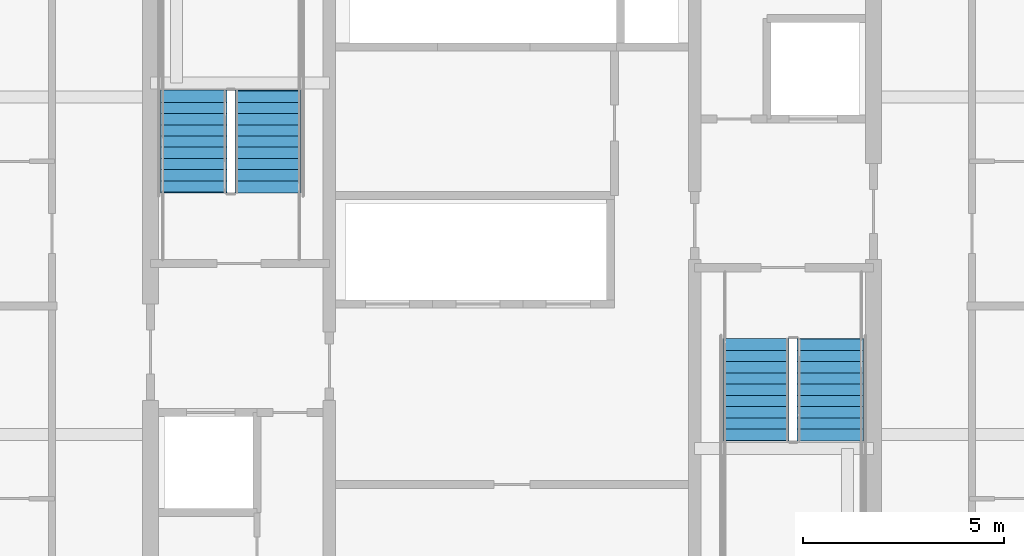
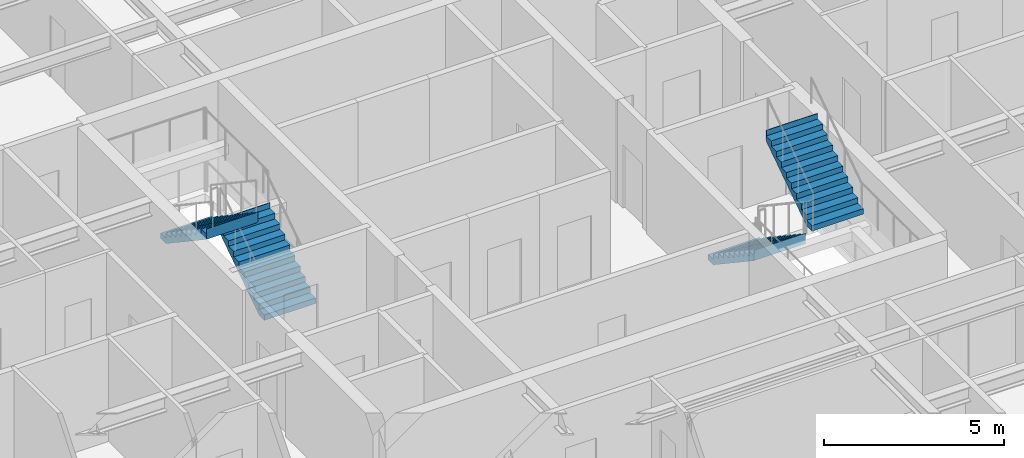
# One storey, part 32 of 37: 4 stair flights, 2 elements without a shape of their own.
"""IFC4 building model written with IfcOpenShell, lengths in metres."""

from ifc_helpers import new_model, si_unit, direction, frame, origin, place, context, subcontext, project, spatial, polygons, material, type_object, element, aggregate, save


model = new_model("IFC4")

# Units and contexts
model_context = context("Model", 3, precision=1e-05, world=origin(), true_north=direction((0.0, 1.0)))
body_context = subcontext(model_context, "Body", "Model", "MODEL_VIEW")
ifc_project = project(units=[si_unit("LENGTHUNIT", "METRE"), si_unit("AREAUNIT", "SQUARE_METRE"), si_unit("VOLUMEUNIT", "CUBIC_METRE"), si_unit("PLANEANGLEUNIT", "RADIAN"), si_unit("MASSUNIT", "GRAM", prefix="KILO")], contexts=[model_context])

# Site, building, storey
site_placement = place(None, origin())
site = spatial("IfcSite", under=ifc_project, at=site_placement, CompositionType="ELEMENT")
building_placement = place(site_placement, origin())
building = spatial("IfcBuilding", under=site, at=building_placement, Name="Serunith Strait Residences", CompositionType="ELEMENT")
storey_placement = place(building_placement, frame((0.0, 0.0, 127.64990234375)))
storey = spatial("IfcBuildingStorey", under=building, at=storey_placement, Name="L31", CompositionType="ELEMENT", Elevation=127.64990234375)

# Stair, stair flights
ifc_material = material(Name="Concrete C50/60", Category="concrete")
stair_type_1 = type_object("IfcStairType", Name="STR-CORE-1", PredefinedType="HALF_TURN_STAIR", material=ifc_material)
stair_1_placement = place(storey_placement, origin())
stair_1 = element("IfcStair", 1, at=stair_1_placement, inside=storey, type_object=stair_type_1, Name="L31 Protected Escape Stair ST-1", PredefinedType="HALF_TURN_STAIR")
stair_flight_type_1 = type_object("IfcStairFlightType", Name="FLT-CORE-1", PredefinedType="STRAIGHT", material=ifc_material)
stair_flight_1_placement = place(storey_placement, frame((26.324951171875, 27.030029296875, 0.0), z_axis=(0.0, 0.0, 1.0), x_axis=(0.0, 1.0, 0.0)))
stair_flight_1 = element("IfcStairFlight", 2, at=stair_flight_1_placement, type_object=stair_flight_type_1, Name="ST-1 flight 1", NumberOfRisers=10, NumberOfTreads=9, PredefinedType="STRAIGHT", RiserHeight=0.1875, TreadLength=0.28, context=body_context, shape_type="Tessellation", body=[
    polygons([(-0.02001953125, -0.824951171875, 0.0), (-0.02001953125, -0.824951171875, 0.1875), (0.280029296875, -0.824951171875, 0.1875), (0.280029296875, -0.824951171875, 0.375), (0.56005859375, -0.824951171875, 0.375), (0.56005859375, -0.824951171875, 0.5625), (0.840087890625, -0.824951171875, 0.5625), (0.840087890625, -0.824951171875, 0.75), (1.1201171875, -0.824951171875, 0.75), (1.1201171875, -0.824951171875, 0.9375), (1.39990234375, -0.824951171875, 0.9375), (1.39990234375, -0.824951171875, 1.125), (1.679931640625, -0.824951171875, 1.125), (1.679931640625, -0.824951171875, 1.3125), (1.9599609375, -0.824951171875, 1.3125), (1.9599609375, -0.824951171875, 1.5), (2.239990234375, -0.824951171875, 1.5), (2.239990234375, -0.824951171875, 1.6875), (2.52001953125, -0.824951171875, 1.6875), (2.52001953125, -0.824951171875, 1.875), (2.5400390625, -0.824951171875, 1.875), (2.5400390625, -0.824951171875, 1.81494140625), (2.52001953125, -0.824951171875, 1.507080078125), (0.26953125, -0.824951171875, 0.0), (-0.02001953125, -0.41259765625, 0.0), (-0.02001953125, -0.41259765625, 0.1875), (0.280029296875, -0.41259765625, 0.1875), (0.280029296875, -0.41259765625, 0.375), (0.56005859375, -0.41259765625, 0.375), (0.56005859375, -0.41259765625, 0.5625), (0.840087890625, -0.41259765625, 0.5625), (0.840087890625, -0.41259765625, 0.75), (1.1201171875, -0.41259765625, 0.75), (1.1201171875, -0.41259765625, 0.9375), (1.39990234375, -0.41259765625, 0.9375), (1.39990234375, -0.41259765625, 1.125), (1.679931640625, -0.41259765625, 1.125), (1.679931640625, -0.41259765625, 1.3125), (1.9599609375, -0.41259765625, 1.3125), (1.9599609375, -0.41259765625, 1.5), (2.239990234375, -0.41259765625, 1.5), (2.239990234375, -0.41259765625, 1.6875), (2.52001953125, -0.41259765625, 1.6875), (2.52001953125, -0.41259765625, 1.875), (2.5400390625, -0.41259765625, 1.875), (2.5400390625, -0.41259765625, 1.81494140625), (2.52001953125, -0.41259765625, 1.507080078125), (0.26953125, -0.41259765625, 0.0), (-0.02001953125, 0.0, 0.0), (-0.02001953125, 0.0, 0.1875), (0.280029296875, 0.0, 0.1875), (0.280029296875, 0.0, 0.375), (0.56005859375, 0.0, 0.375), (0.56005859375, 0.0, 0.5625), (0.840087890625, 0.0, 0.5625), (0.840087890625, 0.0, 0.75), (1.1201171875, 0.0, 0.75), (1.1201171875, 0.0, 0.9375), (1.39990234375, 0.0, 0.9375), (1.39990234375, 0.0, 1.125), (1.679931640625, 0.0, 1.125), (1.679931640625, 0.0, 1.3125), (1.9599609375, 0.0, 1.3125), (1.9599609375, 0.0, 1.5), (2.239990234375, 0.0, 1.5), (2.239990234375, 0.0, 1.6875), (2.52001953125, 0.0, 1.6875), (2.52001953125, 0.0, 1.875), (2.5400390625, 0.0, 1.875), (2.5400390625, 0.0, 1.81494140625), (2.52001953125, 0.0, 1.507080078125), (0.26953125, 0.0, 0.0), (-0.02001953125, 0.41259765625, 0.0), (-0.02001953125, 0.41259765625, 0.1875), (0.280029296875, 0.41259765625, 0.1875), (0.280029296875, 0.41259765625, 0.375), (0.56005859375, 0.41259765625, 0.375), (0.56005859375, 0.41259765625, 0.5625), (0.840087890625, 0.41259765625, 0.5625), (0.840087890625, 0.41259765625, 0.75), (1.1201171875, 0.41259765625, 0.75), (1.1201171875, 0.41259765625, 0.9375), (1.39990234375, 0.41259765625, 0.9375), (1.39990234375, 0.41259765625, 1.125), (1.679931640625, 0.41259765625, 1.125), (1.679931640625, 0.41259765625, 1.3125), (1.9599609375, 0.41259765625, 1.3125), (1.9599609375, 0.41259765625, 1.5), (2.239990234375, 0.41259765625, 1.5), (2.239990234375, 0.41259765625, 1.6875), (2.52001953125, 0.41259765625, 1.6875), (2.52001953125, 0.41259765625, 1.875), (2.5400390625, 0.41259765625, 1.875), (2.5400390625, 0.41259765625, 1.81494140625), (2.52001953125, 0.41259765625, 1.507080078125), (0.26953125, 0.41259765625, 0.0), (-0.02001953125, 0.824951171875, 0.0), (-0.02001953125, 0.824951171875, 0.1875), (0.280029296875, 0.824951171875, 0.1875), (0.280029296875, 0.824951171875, 0.375), (0.56005859375, 0.824951171875, 0.375), (0.56005859375, 0.824951171875, 0.5625), (0.840087890625, 0.824951171875, 0.5625), (0.840087890625, 0.824951171875, 0.75), (1.1201171875, 0.824951171875, 0.75), (1.1201171875, 0.824951171875, 0.9375), (1.39990234375, 0.824951171875, 0.9375), (1.39990234375, 0.824951171875, 1.125), (1.679931640625, 0.824951171875, 1.125), (1.679931640625, 0.824951171875, 1.3125), (1.9599609375, 0.824951171875, 1.3125), (1.9599609375, 0.824951171875, 1.5), (2.239990234375, 0.824951171875, 1.5), (2.239990234375, 0.824951171875, 1.6875), (2.52001953125, 0.824951171875, 1.6875), (2.52001953125, 0.824951171875, 1.875), (2.5400390625, 0.824951171875, 1.875), (2.5400390625, 0.824951171875, 1.81494140625), (2.52001953125, 0.824951171875, 1.507080078125), (0.26953125, 0.824951171875, 0.0)], [[[1, 2, 26, 25]], [[2, 3, 27, 26]], [[3, 4, 28, 27]], [[4, 5, 29, 28]], [[5, 6, 30, 29]], [[6, 7, 31, 30]], [[7, 8, 32, 31]], [[8, 9, 33, 32]], [[9, 10, 34, 33]], [[10, 11, 35, 34]], [[11, 12, 36, 35]], [[12, 13, 37, 36]], [[13, 14, 38, 37]], [[14, 15, 39, 38]], [[15, 16, 40, 39]], [[16, 17, 41, 40]], [[17, 18, 42, 41]], [[18, 19, 43, 42]], [[19, 20, 44, 43]], [[20, 21, 45, 44]], [[21, 22, 46, 45]], [[22, 23, 47, 46]], [[23, 24, 48, 47]], [[24, 1, 25, 48]], [[25, 26, 50, 49]], [[26, 27, 51, 50]], [[27, 28, 52, 51]], [[28, 29, 53, 52]], [[29, 30, 54, 53]], [[30, 31, 55, 54]], [[31, 32, 56, 55]], [[32, 33, 57, 56]], [[33, 34, 58, 57]], [[34, 35, 59, 58]], [[35, 36, 60, 59]], [[36, 37, 61, 60]], [[37, 38, 62, 61]], [[38, 39, 63, 62]], [[39, 40, 64, 63]], [[40, 41, 65, 64]], [[41, 42, 66, 65]], [[42, 43, 67, 66]], [[43, 44, 68, 67]], [[44, 45, 69, 68]], [[45, 46, 70, 69]], [[46, 47, 71, 70]], [[47, 48, 72, 71]], [[48, 25, 49, 72]], [[49, 50, 74, 73]], [[50, 51, 75, 74]], [[51, 52, 76, 75]], [[52, 53, 77, 76]], [[53, 54, 78, 77]], [[54, 55, 79, 78]], [[55, 56, 80, 79]], [[56, 57, 81, 80]], [[57, 58, 82, 81]], [[58, 59, 83, 82]], [[59, 60, 84, 83]], [[60, 61, 85, 84]], [[61, 62, 86, 85]], [[62, 63, 87, 86]], [[63, 64, 88, 87]], [[64, 65, 89, 88]], [[65, 66, 90, 89]], [[66, 67, 91, 90]], [[67, 68, 92, 91]], [[68, 69, 93, 92]], [[69, 70, 94, 93]], [[70, 71, 95, 94]], [[71, 72, 96, 95]], [[72, 49, 73, 96]], [[73, 74, 98, 97]], [[74, 75, 99, 98]], [[75, 76, 100, 99]], [[76, 77, 101, 100]], [[77, 78, 102, 101]], [[78, 79, 103, 102]], [[79, 80, 104, 103]], [[80, 81, 105, 104]], [[81, 82, 106, 105]], [[82, 83, 107, 106]], [[83, 84, 108, 107]], [[84, 85, 109, 108]], [[85, 86, 110, 109]], [[86, 87, 111, 110]], [[87, 88, 112, 111]], [[88, 89, 113, 112]], [[89, 90, 114, 113]], [[90, 91, 115, 114]], [[91, 92, 116, 115]], [[92, 93, 117, 116]], [[93, 94, 118, 117]], [[94, 95, 119, 118]], [[95, 96, 120, 119]], [[96, 73, 97, 120]], [[24, 23, 22, 21, 20, 19, 18, 17, 16, 15, 14, 13, 12, 11, 10, 9, 8, 7, 6, 5, 4, 3, 2, 1]], [[97, 98, 99, 100, 101, 102, 103, 104, 105, 106, 107, 108, 109, 110, 111, 112, 113, 114, 115, 116, 117, 118, 119, 120]]], closed=True),
])
stair_flight_2_placement = place(storey_placement, frame((24.47509765625, 29.550048828125, 1.875), z_axis=(0.0, 0.0, 1.0), x_axis=(0.0, -1.0, 0.0)))
stair_flight_2 = element("IfcStairFlight", 3, at=stair_flight_2_placement, type_object=stair_flight_type_1, Name="ST-1 flight 2", NumberOfRisers=10, NumberOfTreads=9, PredefinedType="STRAIGHT", RiserHeight=0.1875, TreadLength=0.28, context=body_context, shape_type="Tessellation", body=[
    polygons([(-0.02001953125, -0.824951171875, 0.0), (-0.02001953125, -0.824951171875, 0.1875), (0.280029296875, -0.824951171875, 0.1875), (0.280029296875, -0.824951171875, 0.375), (0.56005859375, -0.824951171875, 0.375), (0.56005859375, -0.824951171875, 0.5625), (0.840087890625, -0.824951171875, 0.5625), (0.840087890625, -0.824951171875, 0.75), (1.1201171875, -0.824951171875, 0.75), (1.1201171875, -0.824951171875, 0.9375), (1.39990234375, -0.824951171875, 0.9375), (1.39990234375, -0.824951171875, 1.125), (1.679931640625, -0.824951171875, 1.125), (1.679931640625, -0.824951171875, 1.3125), (1.9599609375, -0.824951171875, 1.3125), (1.9599609375, -0.824951171875, 1.5), (2.239990234375, -0.824951171875, 1.5), (2.239990234375, -0.824951171875, 1.6875), (2.52001953125, -0.824951171875, 1.6875), (2.52001953125, -0.824951171875, 1.875), (2.5400390625, -0.824951171875, 1.875), (2.5400390625, -0.824951171875, 1.81494140625), (2.52001953125, -0.824951171875, 1.507080078125), (0.26953125, -0.824951171875, 0.0), (-0.02001953125, -0.41259765625, 0.0), (-0.02001953125, -0.41259765625, 0.1875), (0.280029296875, -0.41259765625, 0.1875), (0.280029296875, -0.41259765625, 0.375), (0.56005859375, -0.41259765625, 0.375), (0.56005859375, -0.41259765625, 0.5625), (0.840087890625, -0.41259765625, 0.5625), (0.840087890625, -0.41259765625, 0.75), (1.1201171875, -0.41259765625, 0.75), (1.1201171875, -0.41259765625, 0.9375), (1.39990234375, -0.41259765625, 0.9375), (1.39990234375, -0.41259765625, 1.125), (1.679931640625, -0.41259765625, 1.125), (1.679931640625, -0.41259765625, 1.3125), (1.9599609375, -0.41259765625, 1.3125), (1.9599609375, -0.41259765625, 1.5), (2.239990234375, -0.41259765625, 1.5), (2.239990234375, -0.41259765625, 1.6875), (2.52001953125, -0.41259765625, 1.6875), (2.52001953125, -0.41259765625, 1.875), (2.5400390625, -0.41259765625, 1.875), (2.5400390625, -0.41259765625, 1.81494140625), (2.52001953125, -0.41259765625, 1.507080078125), (0.26953125, -0.41259765625, 0.0), (-0.02001953125, 0.0, 0.0), (-0.02001953125, 0.0, 0.1875), (0.280029296875, 0.0, 0.1875), (0.280029296875, 0.0, 0.375), (0.56005859375, 0.0, 0.375), (0.56005859375, 0.0, 0.5625), (0.840087890625, 0.0, 0.5625), (0.840087890625, 0.0, 0.75), (1.1201171875, 0.0, 0.75), (1.1201171875, 0.0, 0.9375), (1.39990234375, 0.0, 0.9375), (1.39990234375, 0.0, 1.125), (1.679931640625, 0.0, 1.125), (1.679931640625, 0.0, 1.3125), (1.9599609375, 0.0, 1.3125), (1.9599609375, 0.0, 1.5), (2.239990234375, 0.0, 1.5), (2.239990234375, 0.0, 1.6875), (2.52001953125, 0.0, 1.6875), (2.52001953125, 0.0, 1.875), (2.5400390625, 0.0, 1.875), (2.5400390625, 0.0, 1.81494140625), (2.52001953125, 0.0, 1.507080078125), (0.26953125, 0.0, 0.0), (-0.02001953125, 0.41259765625, 0.0), (-0.02001953125, 0.41259765625, 0.1875), (0.280029296875, 0.41259765625, 0.1875), (0.280029296875, 0.41259765625, 0.375), (0.56005859375, 0.41259765625, 0.375), (0.56005859375, 0.41259765625, 0.5625), (0.840087890625, 0.41259765625, 0.5625), (0.840087890625, 0.41259765625, 0.75), (1.1201171875, 0.41259765625, 0.75), (1.1201171875, 0.41259765625, 0.9375), (1.39990234375, 0.41259765625, 0.9375), (1.39990234375, 0.41259765625, 1.125), (1.679931640625, 0.41259765625, 1.125), (1.679931640625, 0.41259765625, 1.3125), (1.9599609375, 0.41259765625, 1.3125), (1.9599609375, 0.41259765625, 1.5), (2.239990234375, 0.41259765625, 1.5), (2.239990234375, 0.41259765625, 1.6875), (2.52001953125, 0.41259765625, 1.6875), (2.52001953125, 0.41259765625, 1.875), (2.5400390625, 0.41259765625, 1.875), (2.5400390625, 0.41259765625, 1.81494140625), (2.52001953125, 0.41259765625, 1.507080078125), (0.26953125, 0.41259765625, 0.0), (-0.02001953125, 0.824951171875, 0.0), (-0.02001953125, 0.824951171875, 0.1875), (0.280029296875, 0.824951171875, 0.1875), (0.280029296875, 0.824951171875, 0.375), (0.56005859375, 0.824951171875, 0.375), (0.56005859375, 0.824951171875, 0.5625), (0.840087890625, 0.824951171875, 0.5625), (0.840087890625, 0.824951171875, 0.75), (1.1201171875, 0.824951171875, 0.75), (1.1201171875, 0.824951171875, 0.9375), (1.39990234375, 0.824951171875, 0.9375), (1.39990234375, 0.824951171875, 1.125), (1.679931640625, 0.824951171875, 1.125), (1.679931640625, 0.824951171875, 1.3125), (1.9599609375, 0.824951171875, 1.3125), (1.9599609375, 0.824951171875, 1.5), (2.239990234375, 0.824951171875, 1.5), (2.239990234375, 0.824951171875, 1.6875), (2.52001953125, 0.824951171875, 1.6875), (2.52001953125, 0.824951171875, 1.875), (2.5400390625, 0.824951171875, 1.875), (2.5400390625, 0.824951171875, 1.81494140625), (2.52001953125, 0.824951171875, 1.507080078125), (0.26953125, 0.824951171875, 0.0)], [[[1, 2, 26, 25]], [[2, 3, 27, 26]], [[3, 4, 28, 27]], [[4, 5, 29, 28]], [[5, 6, 30, 29]], [[6, 7, 31, 30]], [[7, 8, 32, 31]], [[8, 9, 33, 32]], [[9, 10, 34, 33]], [[10, 11, 35, 34]], [[11, 12, 36, 35]], [[12, 13, 37, 36]], [[13, 14, 38, 37]], [[14, 15, 39, 38]], [[15, 16, 40, 39]], [[16, 17, 41, 40]], [[17, 18, 42, 41]], [[18, 19, 43, 42]], [[19, 20, 44, 43]], [[20, 21, 45, 44]], [[21, 22, 46, 45]], [[22, 23, 47, 46]], [[23, 24, 48, 47]], [[24, 1, 25, 48]], [[25, 26, 50, 49]], [[26, 27, 51, 50]], [[27, 28, 52, 51]], [[28, 29, 53, 52]], [[29, 30, 54, 53]], [[30, 31, 55, 54]], [[31, 32, 56, 55]], [[32, 33, 57, 56]], [[33, 34, 58, 57]], [[34, 35, 59, 58]], [[35, 36, 60, 59]], [[36, 37, 61, 60]], [[37, 38, 62, 61]], [[38, 39, 63, 62]], [[39, 40, 64, 63]], [[40, 41, 65, 64]], [[41, 42, 66, 65]], [[42, 43, 67, 66]], [[43, 44, 68, 67]], [[44, 45, 69, 68]], [[45, 46, 70, 69]], [[46, 47, 71, 70]], [[47, 48, 72, 71]], [[48, 25, 49, 72]], [[49, 50, 74, 73]], [[50, 51, 75, 74]], [[51, 52, 76, 75]], [[52, 53, 77, 76]], [[53, 54, 78, 77]], [[54, 55, 79, 78]], [[55, 56, 80, 79]], [[56, 57, 81, 80]], [[57, 58, 82, 81]], [[58, 59, 83, 82]], [[59, 60, 84, 83]], [[60, 61, 85, 84]], [[61, 62, 86, 85]], [[62, 63, 87, 86]], [[63, 64, 88, 87]], [[64, 65, 89, 88]], [[65, 66, 90, 89]], [[66, 67, 91, 90]], [[67, 68, 92, 91]], [[68, 69, 93, 92]], [[69, 70, 94, 93]], [[70, 71, 95, 94]], [[71, 72, 96, 95]], [[72, 49, 73, 96]], [[73, 74, 98, 97]], [[74, 75, 99, 98]], [[75, 76, 100, 99]], [[76, 77, 101, 100]], [[77, 78, 102, 101]], [[78, 79, 103, 102]], [[79, 80, 104, 103]], [[80, 81, 105, 104]], [[81, 82, 106, 105]], [[82, 83, 107, 106]], [[83, 84, 108, 107]], [[84, 85, 109, 108]], [[85, 86, 110, 109]], [[86, 87, 111, 110]], [[87, 88, 112, 111]], [[88, 89, 113, 112]], [[89, 90, 114, 113]], [[90, 91, 115, 114]], [[91, 92, 116, 115]], [[92, 93, 117, 116]], [[93, 94, 118, 117]], [[94, 95, 119, 118]], [[95, 96, 120, 119]], [[96, 73, 97, 120]], [[24, 23, 22, 21, 20, 19, 18, 17, 16, 15, 14, 13, 12, 11, 10, 9, 8, 7, 6, 5, 4, 3, 2, 1]], [[97, 98, 99, 100, 101, 102, 103, 104, 105, 106, 107, 108, 109, 110, 111, 112, 113, 114, 115, 116, 117, 118, 119, 120]]], closed=True),
])
aggregate(stair_1, [stair_flight_1, stair_flight_2])

stair_type_2 = type_object("IfcStairType", Name="STR-CORE-2", PredefinedType="HALF_TURN_STAIR", material=ifc_material)
stair_2_placement = place(storey_placement, origin())
stair_2 = element("IfcStair", 4, at=stair_2_placement, inside=storey, type_object=stair_type_2, Name="L31 Protected Escape Stair ST-2", PredefinedType="HALF_TURN_STAIR")
stair_flight_type_2 = type_object("IfcStairFlightType", Name="FLT-CORE-2", PredefinedType="STRAIGHT", material=ifc_material)
stair_flight_3_placement = place(storey_placement, frame((38.47509765625, 23.3701171875, 0.0), z_axis=(0.0, 0.0, 1.0), x_axis=(0.0, -1.0, 0.0)))
stair_flight_3 = element("IfcStairFlight", 5, at=stair_flight_3_placement, type_object=stair_flight_type_2, Name="ST-2 flight 1", NumberOfRisers=10, NumberOfTreads=9, PredefinedType="STRAIGHT", RiserHeight=0.1875, TreadLength=0.28, context=body_context, shape_type="Tessellation", body=[
    polygons([(-0.02001953125, -0.824951171875, 0.0), (-0.02001953125, -0.824951171875, 0.1875), (0.280029296875, -0.824951171875, 0.1875), (0.280029296875, -0.824951171875, 0.375), (0.56005859375, -0.824951171875, 0.375), (0.56005859375, -0.824951171875, 0.5625), (0.840087890625, -0.824951171875, 0.5625), (0.840087890625, -0.824951171875, 0.75), (1.1201171875, -0.824951171875, 0.75), (1.1201171875, -0.824951171875, 0.9375), (1.39990234375, -0.824951171875, 0.9375), (1.39990234375, -0.824951171875, 1.125), (1.679931640625, -0.824951171875, 1.125), (1.679931640625, -0.824951171875, 1.3125), (1.9599609375, -0.824951171875, 1.3125), (1.9599609375, -0.824951171875, 1.5), (2.239990234375, -0.824951171875, 1.5), (2.239990234375, -0.824951171875, 1.6875), (2.52001953125, -0.824951171875, 1.6875), (2.52001953125, -0.824951171875, 1.875), (2.5400390625, -0.824951171875, 1.875), (2.5400390625, -0.824951171875, 1.81494140625), (2.52001953125, -0.824951171875, 1.507080078125), (0.26953125, -0.824951171875, 0.0), (-0.02001953125, -0.41259765625, 0.0), (-0.02001953125, -0.41259765625, 0.1875), (0.280029296875, -0.41259765625, 0.1875), (0.280029296875, -0.41259765625, 0.375), (0.56005859375, -0.41259765625, 0.375), (0.56005859375, -0.41259765625, 0.5625), (0.840087890625, -0.41259765625, 0.5625), (0.840087890625, -0.41259765625, 0.75), (1.1201171875, -0.41259765625, 0.75), (1.1201171875, -0.41259765625, 0.9375), (1.39990234375, -0.41259765625, 0.9375), (1.39990234375, -0.41259765625, 1.125), (1.679931640625, -0.41259765625, 1.125), (1.679931640625, -0.41259765625, 1.3125), (1.9599609375, -0.41259765625, 1.3125), (1.9599609375, -0.41259765625, 1.5), (2.239990234375, -0.41259765625, 1.5), (2.239990234375, -0.41259765625, 1.6875), (2.52001953125, -0.41259765625, 1.6875), (2.52001953125, -0.41259765625, 1.875), (2.5400390625, -0.41259765625, 1.875), (2.5400390625, -0.41259765625, 1.81494140625), (2.52001953125, -0.41259765625, 1.507080078125), (0.26953125, -0.41259765625, 0.0), (-0.02001953125, 0.0, 0.0), (-0.02001953125, 0.0, 0.1875), (0.280029296875, 0.0, 0.1875), (0.280029296875, 0.0, 0.375), (0.56005859375, 0.0, 0.375), (0.56005859375, 0.0, 0.5625), (0.840087890625, 0.0, 0.5625), (0.840087890625, 0.0, 0.75), (1.1201171875, 0.0, 0.75), (1.1201171875, 0.0, 0.9375), (1.39990234375, 0.0, 0.9375), (1.39990234375, 0.0, 1.125), (1.679931640625, 0.0, 1.125), (1.679931640625, 0.0, 1.3125), (1.9599609375, 0.0, 1.3125), (1.9599609375, 0.0, 1.5), (2.239990234375, 0.0, 1.5), (2.239990234375, 0.0, 1.6875), (2.52001953125, 0.0, 1.6875), (2.52001953125, 0.0, 1.875), (2.5400390625, 0.0, 1.875), (2.5400390625, 0.0, 1.81494140625), (2.52001953125, 0.0, 1.507080078125), (0.26953125, 0.0, 0.0), (-0.02001953125, 0.41259765625, 0.0), (-0.02001953125, 0.41259765625, 0.1875), (0.280029296875, 0.41259765625, 0.1875), (0.280029296875, 0.41259765625, 0.375), (0.56005859375, 0.41259765625, 0.375), (0.56005859375, 0.41259765625, 0.5625), (0.840087890625, 0.41259765625, 0.5625), (0.840087890625, 0.41259765625, 0.75), (1.1201171875, 0.41259765625, 0.75), (1.1201171875, 0.41259765625, 0.9375), (1.39990234375, 0.41259765625, 0.9375), (1.39990234375, 0.41259765625, 1.125), (1.679931640625, 0.41259765625, 1.125), (1.679931640625, 0.41259765625, 1.3125), (1.9599609375, 0.41259765625, 1.3125), (1.9599609375, 0.41259765625, 1.5), (2.239990234375, 0.41259765625, 1.5), (2.239990234375, 0.41259765625, 1.6875), (2.52001953125, 0.41259765625, 1.6875), (2.52001953125, 0.41259765625, 1.875), (2.5400390625, 0.41259765625, 1.875), (2.5400390625, 0.41259765625, 1.81494140625), (2.52001953125, 0.41259765625, 1.507080078125), (0.26953125, 0.41259765625, 0.0), (-0.02001953125, 0.824951171875, 0.0), (-0.02001953125, 0.824951171875, 0.1875), (0.280029296875, 0.824951171875, 0.1875), (0.280029296875, 0.824951171875, 0.375), (0.56005859375, 0.824951171875, 0.375), (0.56005859375, 0.824951171875, 0.5625), (0.840087890625, 0.824951171875, 0.5625), (0.840087890625, 0.824951171875, 0.75), (1.1201171875, 0.824951171875, 0.75), (1.1201171875, 0.824951171875, 0.9375), (1.39990234375, 0.824951171875, 0.9375), (1.39990234375, 0.824951171875, 1.125), (1.679931640625, 0.824951171875, 1.125), (1.679931640625, 0.824951171875, 1.3125), (1.9599609375, 0.824951171875, 1.3125), (1.9599609375, 0.824951171875, 1.5), (2.239990234375, 0.824951171875, 1.5), (2.239990234375, 0.824951171875, 1.6875), (2.52001953125, 0.824951171875, 1.6875), (2.52001953125, 0.824951171875, 1.875), (2.5400390625, 0.824951171875, 1.875), (2.5400390625, 0.824951171875, 1.81494140625), (2.52001953125, 0.824951171875, 1.507080078125), (0.26953125, 0.824951171875, 0.0)], [[[1, 2, 26, 25]], [[2, 3, 27, 26]], [[3, 4, 28, 27]], [[4, 5, 29, 28]], [[5, 6, 30, 29]], [[6, 7, 31, 30]], [[7, 8, 32, 31]], [[8, 9, 33, 32]], [[9, 10, 34, 33]], [[10, 11, 35, 34]], [[11, 12, 36, 35]], [[12, 13, 37, 36]], [[13, 14, 38, 37]], [[14, 15, 39, 38]], [[15, 16, 40, 39]], [[16, 17, 41, 40]], [[17, 18, 42, 41]], [[18, 19, 43, 42]], [[19, 20, 44, 43]], [[20, 21, 45, 44]], [[21, 22, 46, 45]], [[22, 23, 47, 46]], [[23, 24, 48, 47]], [[24, 1, 25, 48]], [[25, 26, 50, 49]], [[26, 27, 51, 50]], [[27, 28, 52, 51]], [[28, 29, 53, 52]], [[29, 30, 54, 53]], [[30, 31, 55, 54]], [[31, 32, 56, 55]], [[32, 33, 57, 56]], [[33, 34, 58, 57]], [[34, 35, 59, 58]], [[35, 36, 60, 59]], [[36, 37, 61, 60]], [[37, 38, 62, 61]], [[38, 39, 63, 62]], [[39, 40, 64, 63]], [[40, 41, 65, 64]], [[41, 42, 66, 65]], [[42, 43, 67, 66]], [[43, 44, 68, 67]], [[44, 45, 69, 68]], [[45, 46, 70, 69]], [[46, 47, 71, 70]], [[47, 48, 72, 71]], [[48, 25, 49, 72]], [[49, 50, 74, 73]], [[50, 51, 75, 74]], [[51, 52, 76, 75]], [[52, 53, 77, 76]], [[53, 54, 78, 77]], [[54, 55, 79, 78]], [[55, 56, 80, 79]], [[56, 57, 81, 80]], [[57, 58, 82, 81]], [[58, 59, 83, 82]], [[59, 60, 84, 83]], [[60, 61, 85, 84]], [[61, 62, 86, 85]], [[62, 63, 87, 86]], [[63, 64, 88, 87]], [[64, 65, 89, 88]], [[65, 66, 90, 89]], [[66, 67, 91, 90]], [[67, 68, 92, 91]], [[68, 69, 93, 92]], [[69, 70, 94, 93]], [[70, 71, 95, 94]], [[71, 72, 96, 95]], [[72, 49, 73, 96]], [[73, 74, 98, 97]], [[74, 75, 99, 98]], [[75, 76, 100, 99]], [[76, 77, 101, 100]], [[77, 78, 102, 101]], [[78, 79, 103, 102]], [[79, 80, 104, 103]], [[80, 81, 105, 104]], [[81, 82, 106, 105]], [[82, 83, 107, 106]], [[83, 84, 108, 107]], [[84, 85, 109, 108]], [[85, 86, 110, 109]], [[86, 87, 111, 110]], [[87, 88, 112, 111]], [[88, 89, 113, 112]], [[89, 90, 114, 113]], [[90, 91, 115, 114]], [[91, 92, 116, 115]], [[92, 93, 117, 116]], [[93, 94, 118, 117]], [[94, 95, 119, 118]], [[95, 96, 120, 119]], [[96, 73, 97, 120]], [[24, 23, 22, 21, 20, 19, 18, 17, 16, 15, 14, 13, 12, 11, 10, 9, 8, 7, 6, 5, 4, 3, 2, 1]], [[97, 98, 99, 100, 101, 102, 103, 104, 105, 106, 107, 108, 109, 110, 111, 112, 113, 114, 115, 116, 117, 118, 119, 120]]], closed=True),
])
stair_flight_4_placement = place(storey_placement, frame((40.324951171875, 20.85009765625, 1.875), z_axis=(0.0, 0.0, 1.0), x_axis=(0.0, 1.0, 0.0)))
stair_flight_4 = element("IfcStairFlight", 6, at=stair_flight_4_placement, type_object=stair_flight_type_2, Name="ST-2 flight 2", NumberOfRisers=10, NumberOfTreads=9, PredefinedType="STRAIGHT", RiserHeight=0.1875, TreadLength=0.28, context=body_context, shape_type="Tessellation", body=[
    polygons([(-0.02001953125, -0.824951171875, 0.0), (-0.02001953125, -0.824951171875, 0.1875), (0.280029296875, -0.824951171875, 0.1875), (0.280029296875, -0.824951171875, 0.375), (0.56005859375, -0.824951171875, 0.375), (0.56005859375, -0.824951171875, 0.5625), (0.840087890625, -0.824951171875, 0.5625), (0.840087890625, -0.824951171875, 0.75), (1.1201171875, -0.824951171875, 0.75), (1.1201171875, -0.824951171875, 0.9375), (1.39990234375, -0.824951171875, 0.9375), (1.39990234375, -0.824951171875, 1.125), (1.679931640625, -0.824951171875, 1.125), (1.679931640625, -0.824951171875, 1.3125), (1.9599609375, -0.824951171875, 1.3125), (1.9599609375, -0.824951171875, 1.5), (2.239990234375, -0.824951171875, 1.5), (2.239990234375, -0.824951171875, 1.6875), (2.52001953125, -0.824951171875, 1.6875), (2.52001953125, -0.824951171875, 1.875), (2.5400390625, -0.824951171875, 1.875), (2.5400390625, -0.824951171875, 1.81494140625), (2.52001953125, -0.824951171875, 1.507080078125), (0.26953125, -0.824951171875, 0.0), (-0.02001953125, -0.41259765625, 0.0), (-0.02001953125, -0.41259765625, 0.1875), (0.280029296875, -0.41259765625, 0.1875), (0.280029296875, -0.41259765625, 0.375), (0.56005859375, -0.41259765625, 0.375), (0.56005859375, -0.41259765625, 0.5625), (0.840087890625, -0.41259765625, 0.5625), (0.840087890625, -0.41259765625, 0.75), (1.1201171875, -0.41259765625, 0.75), (1.1201171875, -0.41259765625, 0.9375), (1.39990234375, -0.41259765625, 0.9375), (1.39990234375, -0.41259765625, 1.125), (1.679931640625, -0.41259765625, 1.125), (1.679931640625, -0.41259765625, 1.3125), (1.9599609375, -0.41259765625, 1.3125), (1.9599609375, -0.41259765625, 1.5), (2.239990234375, -0.41259765625, 1.5), (2.239990234375, -0.41259765625, 1.6875), (2.52001953125, -0.41259765625, 1.6875), (2.52001953125, -0.41259765625, 1.875), (2.5400390625, -0.41259765625, 1.875), (2.5400390625, -0.41259765625, 1.81494140625), (2.52001953125, -0.41259765625, 1.507080078125), (0.26953125, -0.41259765625, 0.0), (-0.02001953125, 0.0, 0.0), (-0.02001953125, 0.0, 0.1875), (0.280029296875, 0.0, 0.1875), (0.280029296875, 0.0, 0.375), (0.56005859375, 0.0, 0.375), (0.56005859375, 0.0, 0.5625), (0.840087890625, 0.0, 0.5625), (0.840087890625, 0.0, 0.75), (1.1201171875, 0.0, 0.75), (1.1201171875, 0.0, 0.9375), (1.39990234375, 0.0, 0.9375), (1.39990234375, 0.0, 1.125), (1.679931640625, 0.0, 1.125), (1.679931640625, 0.0, 1.3125), (1.9599609375, 0.0, 1.3125), (1.9599609375, 0.0, 1.5), (2.239990234375, 0.0, 1.5), (2.239990234375, 0.0, 1.6875), (2.52001953125, 0.0, 1.6875), (2.52001953125, 0.0, 1.875), (2.5400390625, 0.0, 1.875), (2.5400390625, 0.0, 1.81494140625), (2.52001953125, 0.0, 1.507080078125), (0.26953125, 0.0, 0.0), (-0.02001953125, 0.41259765625, 0.0), (-0.02001953125, 0.41259765625, 0.1875), (0.280029296875, 0.41259765625, 0.1875), (0.280029296875, 0.41259765625, 0.375), (0.56005859375, 0.41259765625, 0.375), (0.56005859375, 0.41259765625, 0.5625), (0.840087890625, 0.41259765625, 0.5625), (0.840087890625, 0.41259765625, 0.75), (1.1201171875, 0.41259765625, 0.75), (1.1201171875, 0.41259765625, 0.9375), (1.39990234375, 0.41259765625, 0.9375), (1.39990234375, 0.41259765625, 1.125), (1.679931640625, 0.41259765625, 1.125), (1.679931640625, 0.41259765625, 1.3125), (1.9599609375, 0.41259765625, 1.3125), (1.9599609375, 0.41259765625, 1.5), (2.239990234375, 0.41259765625, 1.5), (2.239990234375, 0.41259765625, 1.6875), (2.52001953125, 0.41259765625, 1.6875), (2.52001953125, 0.41259765625, 1.875), (2.5400390625, 0.41259765625, 1.875), (2.5400390625, 0.41259765625, 1.81494140625), (2.52001953125, 0.41259765625, 1.507080078125), (0.26953125, 0.41259765625, 0.0), (-0.02001953125, 0.824951171875, 0.0), (-0.02001953125, 0.824951171875, 0.1875), (0.280029296875, 0.824951171875, 0.1875), (0.280029296875, 0.824951171875, 0.375), (0.56005859375, 0.824951171875, 0.375), (0.56005859375, 0.824951171875, 0.5625), (0.840087890625, 0.824951171875, 0.5625), (0.840087890625, 0.824951171875, 0.75), (1.1201171875, 0.824951171875, 0.75), (1.1201171875, 0.824951171875, 0.9375), (1.39990234375, 0.824951171875, 0.9375), (1.39990234375, 0.824951171875, 1.125), (1.679931640625, 0.824951171875, 1.125), (1.679931640625, 0.824951171875, 1.3125), (1.9599609375, 0.824951171875, 1.3125), (1.9599609375, 0.824951171875, 1.5), (2.239990234375, 0.824951171875, 1.5), (2.239990234375, 0.824951171875, 1.6875), (2.52001953125, 0.824951171875, 1.6875), (2.52001953125, 0.824951171875, 1.875), (2.5400390625, 0.824951171875, 1.875), (2.5400390625, 0.824951171875, 1.81494140625), (2.52001953125, 0.824951171875, 1.507080078125), (0.26953125, 0.824951171875, 0.0)], [[[1, 2, 26, 25]], [[2, 3, 27, 26]], [[3, 4, 28, 27]], [[4, 5, 29, 28]], [[5, 6, 30, 29]], [[6, 7, 31, 30]], [[7, 8, 32, 31]], [[8, 9, 33, 32]], [[9, 10, 34, 33]], [[10, 11, 35, 34]], [[11, 12, 36, 35]], [[12, 13, 37, 36]], [[13, 14, 38, 37]], [[14, 15, 39, 38]], [[15, 16, 40, 39]], [[16, 17, 41, 40]], [[17, 18, 42, 41]], [[18, 19, 43, 42]], [[19, 20, 44, 43]], [[20, 21, 45, 44]], [[21, 22, 46, 45]], [[22, 23, 47, 46]], [[23, 24, 48, 47]], [[24, 1, 25, 48]], [[25, 26, 50, 49]], [[26, 27, 51, 50]], [[27, 28, 52, 51]], [[28, 29, 53, 52]], [[29, 30, 54, 53]], [[30, 31, 55, 54]], [[31, 32, 56, 55]], [[32, 33, 57, 56]], [[33, 34, 58, 57]], [[34, 35, 59, 58]], [[35, 36, 60, 59]], [[36, 37, 61, 60]], [[37, 38, 62, 61]], [[38, 39, 63, 62]], [[39, 40, 64, 63]], [[40, 41, 65, 64]], [[41, 42, 66, 65]], [[42, 43, 67, 66]], [[43, 44, 68, 67]], [[44, 45, 69, 68]], [[45, 46, 70, 69]], [[46, 47, 71, 70]], [[47, 48, 72, 71]], [[48, 25, 49, 72]], [[49, 50, 74, 73]], [[50, 51, 75, 74]], [[51, 52, 76, 75]], [[52, 53, 77, 76]], [[53, 54, 78, 77]], [[54, 55, 79, 78]], [[55, 56, 80, 79]], [[56, 57, 81, 80]], [[57, 58, 82, 81]], [[58, 59, 83, 82]], [[59, 60, 84, 83]], [[60, 61, 85, 84]], [[61, 62, 86, 85]], [[62, 63, 87, 86]], [[63, 64, 88, 87]], [[64, 65, 89, 88]], [[65, 66, 90, 89]], [[66, 67, 91, 90]], [[67, 68, 92, 91]], [[68, 69, 93, 92]], [[69, 70, 94, 93]], [[70, 71, 95, 94]], [[71, 72, 96, 95]], [[72, 49, 73, 96]], [[73, 74, 98, 97]], [[74, 75, 99, 98]], [[75, 76, 100, 99]], [[76, 77, 101, 100]], [[77, 78, 102, 101]], [[78, 79, 103, 102]], [[79, 80, 104, 103]], [[80, 81, 105, 104]], [[81, 82, 106, 105]], [[82, 83, 107, 106]], [[83, 84, 108, 107]], [[84, 85, 109, 108]], [[85, 86, 110, 109]], [[86, 87, 111, 110]], [[87, 88, 112, 111]], [[88, 89, 113, 112]], [[89, 90, 114, 113]], [[90, 91, 115, 114]], [[91, 92, 116, 115]], [[92, 93, 117, 116]], [[93, 94, 118, 117]], [[94, 95, 119, 118]], [[95, 96, 120, 119]], [[96, 73, 97, 120]], [[24, 23, 22, 21, 20, 19, 18, 17, 16, 15, 14, 13, 12, 11, 10, 9, 8, 7, 6, 5, 4, 3, 2, 1]], [[97, 98, 99, 100, 101, 102, 103, 104, 105, 106, 107, 108, 109, 110, 111, 112, 113, 114, 115, 116, 117, 118, 119, 120]]], closed=True),
])
aggregate(stair_2, [stair_flight_3, stair_flight_4])

save(model, "model.ifc")
